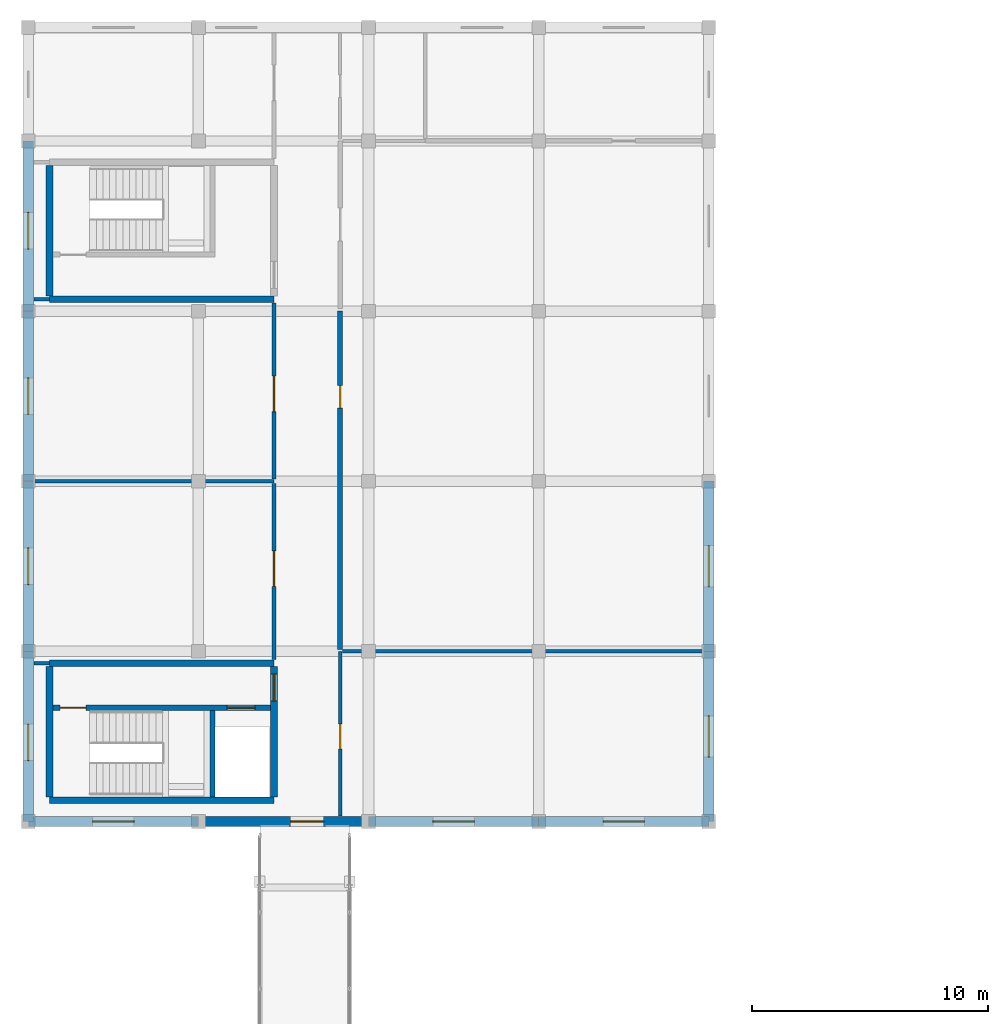
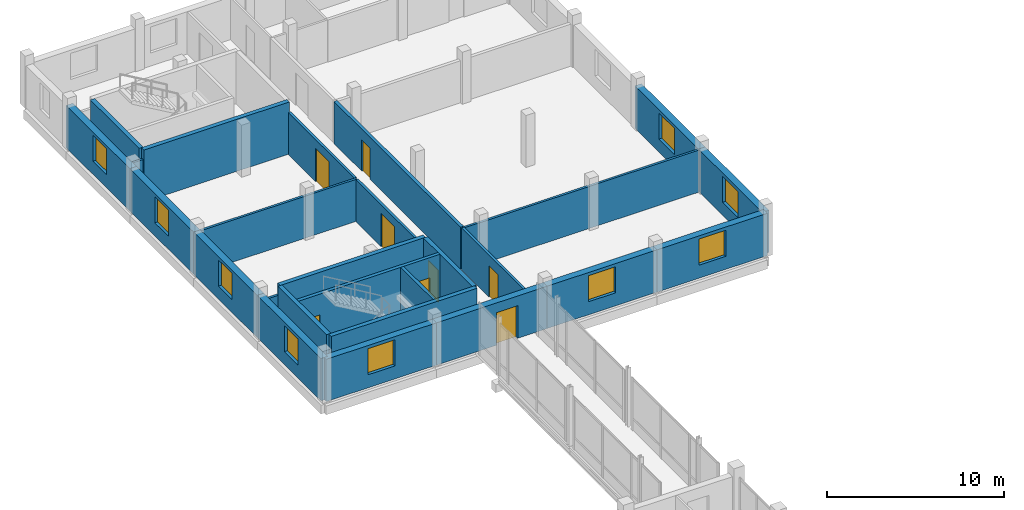
# One storey, part 113 of 128: 26 walls, 9 windows, 8 doors, 17 openings.
"""IFC4 building model written with IfcOpenShell, lengths in metres."""

from ifc_helpers import new_model, si_unit, direction, frame, frame_2d, origin, place, context, subcontext, project, spatial, rectangle, extrude, material, layer, layer_set, type_object, element, fill, save


model = new_model("IFC4")

# Units and contexts
model_context = context("Model", 3, precision=1e-05, world=origin(), true_north=direction((0.0, 1.0)))
body_context = subcontext(model_context, "Body", "Model", "MODEL_VIEW")
ifc_project = project(units=[si_unit("LENGTHUNIT", "METRE"), si_unit("AREAUNIT", "SQUARE_METRE"), si_unit("VOLUMEUNIT", "CUBIC_METRE"), si_unit("PLANEANGLEUNIT", "RADIAN"), si_unit("MASSUNIT", "GRAM", prefix="KILO")], contexts=[model_context])

# Site, building, storey
site_placement = place(None, origin())
site = spatial("IfcSite", under=ifc_project, at=site_placement, CompositionType="ELEMENT")
building_placement = place(site_placement, origin())
building = spatial("IfcBuilding", under=site, at=building_placement, Name="Zornivar Specialist Clinic", CompositionType="ELEMENT")
storey_placement = place(building_placement, frame((0.0, 0.0, 4.5)))
storey = spatial("IfcBuildingStorey", under=building, at=storey_placement, Name="L01", CompositionType="ELEMENT", Elevation=4.5)

# Wall, opening, window
ifc_material_1 = material(Name="Masonry Rusticated Vratsa Limestone Procedure Base Wall", Category="masonry")
ifc_layer_1 = layer(ifc_material_1, 0.43994140625)
ifc_layer_set_1 = layer_set([ifc_layer_1], Name="Masonry Rusticated Vratsa Limestone Procedure Base Wall")
wall_type_1 = type_object("IfcWallType", Name="EW-PLINTH-WEST-440", PredefinedType="SOLIDWALL", material=ifc_layer_set_1)
wall_1_placement = place(storey_placement, frame((0.0, 79.199951171875, 0.0), z_axis=(0.0, 0.0, 1.0), x_axis=(1.0, 0.0, 0.0)))
wall_1 = element("IfcWall", 1, at=wall_1_placement, inside=storey, type_object=wall_type_1, Name="ew:V5:L01:00", PredefinedType="SOLIDWALL", context=body_context, shape_type="SweptSolid", body=[
    extrude(rectangle(XDim=7.199951171875, YDim=0.43994140625, at=frame_2d((3.60009765625, 0.0))), origin(), (0.0, 0.0, 1.0), 2.919921875),
])
opening_1_placement = place(wall_1_placement, frame((2.72509765625, 0.0, 0.89990234375)))
opening_1 = element("IfcOpeningElement", 2, at=opening_1_placement, cuts=wall_1, Name="Opening W-17", PredefinedType="OPENING", context=body_context, shape_type="SweptSolid", body=[
    extrude(rectangle(XDim=1.75, YDim=1.800048828125, at=frame_2d((0.875, 0.89990234375))), frame((0.0, 0.22998046875, 0.0), z_axis=(0.0, -1.0, 0.0), x_axis=(1.0, 0.0, 0.0)), (0.0, 0.0, 1.0), 0.4599609375),
])
ifc_material_2 = material(Name="Triple-Glazed Aluminium-Timber Window Glass", Category="wood")
window_type_1 = type_object("IfcWindowType", Name="WIN-PROC-COURT-1750x1800", PartitioningType="SINGLE_PANEL", PredefinedType="WINDOW", material=ifc_material_2)
window_1_placement = place(opening_1_placement, origin())
window_1 = element("IfcWindow", 3, at=window_1_placement, inside=storey, type_object=window_type_1, Name="win:V5:L01:00", OverallHeight=1.800048828125, OverallWidth=1.75, PartitioningType="SINGLE_PANEL", PredefinedType="WINDOW", context=body_context, shape_type="SweptSolid", body=[
    extrude(rectangle(XDim=1.75, YDim=1.800048828125, at=frame_2d((0.875, 0.89990234375))), frame((0.0, 0.030029296875, 0.0), z_axis=(0.0, -1.0, 0.0), x_axis=(1.0, 0.0, 0.0)), (0.0, 0.0, 1.0), 0.06005859375),
])
fill(opening_1, window_1)

# Wall, opening, door
wall_2_placement = place(storey_placement, frame((7.199951171875, 79.199951171875, 0.0), z_axis=(0.0, 0.0, 1.0), x_axis=(1.0, 0.0, 0.0)))
wall_2 = element("IfcWall", 4, at=wall_2_placement, inside=storey, type_object=wall_type_1, Name="ew:V5:L01:01", PredefinedType="SOLIDWALL", context=body_context, shape_type="SweptSolid", body=[
    extrude(rectangle(XDim=7.199951171875, YDim=0.43994140625, at=frame_2d((3.60009765625, 0.0))), origin(), (0.0, 0.0, 1.0), 2.919921875),
])
opening_2_placement = place(wall_2_placement, frame((3.89990234375, 0.0, 0.0)))
opening_2 = element("IfcOpeningElement", 5, at=opening_2_placement, cuts=wall_2, Name="Opening TD-01", PredefinedType="OPENING", context=body_context, shape_type="SweptSolid", body=[
    extrude(rectangle(XDim=1.39990234375, YDim=2.25, at=frame_2d((0.699951171875, 1.125))), frame((0.0, 0.22998046875, 0.0), z_axis=(0.0, -1.0, 0.0), x_axis=(1.0, 0.0, 0.0)), (0.0, 0.0, 1.0), 0.4599609375),
])
ifc_material_3 = material(Name="Thermally Broken Glazed Aluminium Door", Category="aluminium")
door_type_1 = type_object("IfcDoorType", Name="TD-TERR-1400x2250", OperationType="NOTDEFINED", PredefinedType="DOOR", material=ifc_material_3)
door_1_placement = place(opening_2_placement, origin())
door_1 = element("IfcDoor", 6, at=door_1_placement, inside=storey, type_object=door_type_1, Name="door:V5:L01:br2", OperationType="SINGLE_SWING_LEFT", OverallHeight=2.25, OverallWidth=1.39990234375, PredefinedType="DOOR", context=body_context, shape_type="SweptSolid", body=[
    extrude(rectangle(XDim=1.39990234375, YDim=2.25, at=frame_2d((0.699951171875, 1.125))), frame((0.0, 0.02490234375, 0.0), z_axis=(0.0, -1.0, 0.0), x_axis=(1.0, 0.0, 0.0)), (0.0, 0.0, 1.0), 0.050048828125),
])
fill(opening_2, door_1)

# Wall, opening, window
wall_3_placement = place(storey_placement, frame((14.39990234375, 79.199951171875, 0.0), z_axis=(0.0, 0.0, 1.0), x_axis=(1.0, 0.0, 0.0)))
wall_3 = element("IfcWall", 7, at=wall_3_placement, inside=storey, type_object=wall_type_1, Name="ew:V5:L01:02", PredefinedType="SOLIDWALL", context=body_context, shape_type="SweptSolid", body=[
    extrude(rectangle(XDim=7.2001953125, YDim=0.43994140625, at=frame_2d((3.60009765625, 0.0))), origin(), (0.0, 0.0, 1.0), 2.919921875),
])
opening_3_placement = place(wall_3_placement, frame((2.72509765625, 0.0, 0.89990234375)))
opening_3 = element("IfcOpeningElement", 8, at=opening_3_placement, cuts=wall_3, Name="Opening W-17", PredefinedType="OPENING", context=body_context, shape_type="SweptSolid", body=[
    extrude(rectangle(XDim=1.75, YDim=1.800048828125, at=frame_2d((0.875, 0.89990234375))), frame((0.0, 0.22998046875, 0.0), z_axis=(0.0, -1.0, 0.0), x_axis=(1.0, 0.0, 0.0)), (0.0, 0.0, 1.0), 0.4599609375),
])
window_2_placement = place(opening_3_placement, origin())
window_2 = element("IfcWindow", 9, at=window_2_placement, inside=storey, type_object=window_type_1, Name="win:V5:L01:02", OverallHeight=1.800048828125, OverallWidth=1.75, PartitioningType="SINGLE_PANEL", PredefinedType="WINDOW", context=body_context, shape_type="SweptSolid", body=[
    extrude(rectangle(XDim=1.75, YDim=1.800048828125, at=frame_2d((0.875, 0.89990234375))), frame((0.0, 0.030029296875, 0.0), z_axis=(0.0, -1.0, 0.0), x_axis=(1.0, 0.0, 0.0)), (0.0, 0.0, 1.0), 0.06005859375),
])
fill(opening_3, window_2)

wall_4_placement = place(storey_placement, frame((21.60009765625, 79.199951171875, 0.0), z_axis=(0.0, 0.0, 1.0), x_axis=(1.0, 0.0, 0.0)))
wall_4 = element("IfcWall", 10, at=wall_4_placement, inside=storey, type_object=wall_type_1, Name="ew:V5:L01:03", PredefinedType="SOLIDWALL", context=body_context, shape_type="SweptSolid", body=[
    extrude(rectangle(XDim=7.199951171875, YDim=0.43994140625, at=frame_2d((3.60009765625, 0.0))), origin(), (0.0, 0.0, 1.0), 2.919921875),
])
opening_4_placement = place(wall_4_placement, frame((2.72509765625, 0.0, 0.89990234375)))
opening_4 = element("IfcOpeningElement", 11, at=opening_4_placement, cuts=wall_4, Name="Opening W-17", PredefinedType="OPENING", context=body_context, shape_type="SweptSolid", body=[
    extrude(rectangle(XDim=1.75, YDim=1.800048828125, at=frame_2d((0.875, 0.89990234375))), frame((0.0, 0.22998046875, 0.0), z_axis=(0.0, -1.0, 0.0), x_axis=(1.0, 0.0, 0.0)), (0.0, 0.0, 1.0), 0.4599609375),
])
window_3_placement = place(opening_4_placement, origin())
window_3 = element("IfcWindow", 12, at=window_3_placement, inside=storey, type_object=window_type_1, Name="win:V5:L01:03", OverallHeight=1.800048828125, OverallWidth=1.75, PartitioningType="SINGLE_PANEL", PredefinedType="WINDOW", context=body_context, shape_type="SweptSolid", body=[
    extrude(rectangle(XDim=1.75, YDim=1.800048828125, at=frame_2d((0.875, 0.89990234375))), frame((0.0, 0.030029296875, 0.0), z_axis=(0.0, -1.0, 0.0), x_axis=(1.0, 0.0, 0.0)), (0.0, 0.0, 1.0), 0.06005859375),
])
fill(opening_4, window_3)

wall_5_placement = place(storey_placement, frame((28.800048828125, 79.199951171875, 0.0), z_axis=(0.0, 0.0, 1.0), x_axis=(0.0, 1.0, 0.0)))
wall_5 = element("IfcWall", 13, at=wall_5_placement, inside=storey, type_object=wall_type_1, Name="ew:V5:L01:04", PredefinedType="SOLIDWALL", context=body_context, shape_type="SweptSolid", body=[
    extrude(rectangle(XDim=7.199951171875, YDim=0.43994140625, at=frame_2d((3.60009765625, 0.0))), origin(), (0.0, 0.0, 1.0), 2.919921875),
])
opening_5_placement = place(wall_5_placement, frame((2.72509765625, 0.0, 0.89990234375)))
opening_5 = element("IfcOpeningElement", 14, at=opening_5_placement, cuts=wall_5, Name="Opening W-17", PredefinedType="OPENING", context=body_context, shape_type="SweptSolid", body=[
    extrude(rectangle(XDim=1.75, YDim=1.800048828125, at=frame_2d((0.875, 0.89990234375))), frame((0.0, 0.22998046875, 0.0), z_axis=(0.0, -1.0, 0.0), x_axis=(1.0, 0.0, 0.0)), (0.0, 0.0, 1.0), 0.4599609375),
])
window_4_placement = place(opening_5_placement, origin())
window_4 = element("IfcWindow", 15, at=window_4_placement, inside=storey, type_object=window_type_1, Name="win:V5:L01:04", OverallHeight=1.800048828125, OverallWidth=1.75, PartitioningType="SINGLE_PANEL", PredefinedType="WINDOW", context=body_context, shape_type="SweptSolid", body=[
    extrude(rectangle(XDim=1.75, YDim=1.800048828125, at=frame_2d((0.875, 0.89990234375))), frame((0.0, 0.030029296875, 0.0), z_axis=(0.0, -1.0, 0.0), x_axis=(1.0, 0.0, 0.0)), (0.0, 0.0, 1.0), 0.06005859375),
])
fill(opening_5, window_4)

wall_6_placement = place(storey_placement, frame((28.800048828125, 86.39990234375, 0.0), z_axis=(0.0, 0.0, 1.0), x_axis=(0.0, 1.0, 0.0)))
wall_6 = element("IfcWall", 16, at=wall_6_placement, inside=storey, type_object=wall_type_1, Name="ew:V5:L01:05", PredefinedType="SOLIDWALL", context=body_context, shape_type="SweptSolid", body=[
    extrude(rectangle(XDim=7.2001953125, YDim=0.43994140625, at=frame_2d((3.60009765625, 0.0))), origin(), (0.0, 0.0, 1.0), 2.919921875),
])
opening_6_placement = place(wall_6_placement, frame((2.72509765625, 0.0, 0.89990234375)))
opening_6 = element("IfcOpeningElement", 17, at=opening_6_placement, cuts=wall_6, Name="Opening W-17", PredefinedType="OPENING", context=body_context, shape_type="SweptSolid", body=[
    extrude(rectangle(XDim=1.75, YDim=1.800048828125, at=frame_2d((0.875, 0.89990234375))), frame((0.0, 0.22998046875, 0.0), z_axis=(0.0, -1.0, 0.0), x_axis=(1.0, 0.0, 0.0)), (0.0, 0.0, 1.0), 0.4599609375),
])
window_5_placement = place(opening_6_placement, origin())
window_5 = element("IfcWindow", 18, at=window_5_placement, inside=storey, type_object=window_type_1, Name="win:V5:L01:05", OverallHeight=1.800048828125, OverallWidth=1.75, PartitioningType="SINGLE_PANEL", PredefinedType="WINDOW", context=body_context, shape_type="SweptSolid", body=[
    extrude(rectangle(XDim=1.75, YDim=1.800048828125, at=frame_2d((0.875, 0.89990234375))), frame((0.0, 0.030029296875, 0.0), z_axis=(0.0, -1.0, 0.0), x_axis=(1.0, 0.0, 0.0)), (0.0, 0.0, 1.0), 0.06005859375),
])
fill(opening_6, window_5)

wall_7_placement = place(storey_placement, frame((0.0, 108.0, 0.0), z_axis=(0.0, 0.0, 1.0), x_axis=(0.0, -1.0, 0.0)))
wall_7 = element("IfcWall", 19, at=wall_7_placement, inside=storey, type_object=wall_type_1, Name="ew:V5:L01:14", PredefinedType="SOLIDWALL", context=body_context, shape_type="SweptSolid", body=[
    extrude(rectangle(XDim=7.199951171875, YDim=0.43994140625, at=frame_2d((3.60009765625, 0.0))), origin(), (0.0, 0.0, 1.0), 2.919921875),
])
opening_7_placement = place(wall_7_placement, frame((3.02490234375, 0.0, 0.89990234375)))
opening_7 = element("IfcOpeningElement", 20, at=opening_7_placement, cuts=wall_7, Name="Opening W-16", PredefinedType="OPENING", context=body_context, shape_type="SweptSolid", body=[
    extrude(rectangle(XDim=1.550048828125, YDim=1.800048828125, at=frame_2d((0.77490234375, 0.89990234375))), frame((0.0, 0.22998046875, 0.0), z_axis=(0.0, -1.0, 0.0), x_axis=(1.0, 0.0, 0.0)), (0.0, 0.0, 1.0), 0.4599609375),
])
ifc_material_4 = material(Name="Triple-Glazed Aluminium-Timber Window Glass", Category="wood")
window_type_2 = type_object("IfcWindowType", Name="WIN-PROC-WEST-1550x1800", PartitioningType="SINGLE_PANEL", PredefinedType="WINDOW", material=ifc_material_4)
window_6_placement = place(opening_7_placement, origin())
window_6 = element("IfcWindow", 21, at=window_6_placement, inside=storey, type_object=window_type_2, Name="win:V5:L01:14", OverallHeight=1.800048828125, OverallWidth=1.550048828125, PartitioningType="SINGLE_PANEL", PredefinedType="WINDOW", context=body_context, shape_type="SweptSolid", body=[
    extrude(rectangle(XDim=1.550048828125, YDim=1.800048828125, at=frame_2d((0.77490234375, 0.89990234375))), frame((0.0, 0.030029296875, 0.0), z_axis=(0.0, -1.0, 0.0), x_axis=(1.0, 0.0, 0.0)), (0.0, 0.0, 1.0), 0.06005859375),
])
fill(opening_7, window_6)

wall_8_placement = place(storey_placement, frame((0.0, 100.800048828125, 0.0), z_axis=(0.0, 0.0, 1.0), x_axis=(0.0, -1.0, 0.0)))
wall_8 = element("IfcWall", 22, at=wall_8_placement, inside=storey, type_object=wall_type_1, Name="ew:V5:L01:15", PredefinedType="SOLIDWALL", context=body_context, shape_type="SweptSolid", body=[
    extrude(rectangle(XDim=7.199951171875, YDim=0.43994140625, at=frame_2d((3.60009765625, 0.0))), origin(), (0.0, 0.0, 1.0), 2.919921875),
])
opening_8_placement = place(wall_8_placement, frame((2.824951171875, 0.0, 0.89990234375)))
opening_8 = element("IfcOpeningElement", 23, at=opening_8_placement, cuts=wall_8, Name="Opening W-16", PredefinedType="OPENING", context=body_context, shape_type="SweptSolid", body=[
    extrude(rectangle(XDim=1.550048828125, YDim=1.800048828125, at=frame_2d((0.77490234375, 0.89990234375))), frame((0.0, 0.22998046875, 0.0), z_axis=(0.0, -1.0, 0.0), x_axis=(1.0, 0.0, 0.0)), (0.0, 0.0, 1.0), 0.4599609375),
])
window_7_placement = place(opening_8_placement, origin())
window_7 = element("IfcWindow", 24, at=window_7_placement, inside=storey, type_object=window_type_2, Name="win:V5:L01:15", OverallHeight=1.800048828125, OverallWidth=1.550048828125, PartitioningType="SINGLE_PANEL", PredefinedType="WINDOW", context=body_context, shape_type="SweptSolid", body=[
    extrude(rectangle(XDim=1.550048828125, YDim=1.800048828125, at=frame_2d((0.77490234375, 0.89990234375))), frame((0.0, 0.030029296875, 0.0), z_axis=(0.0, -1.0, 0.0), x_axis=(1.0, 0.0, 0.0)), (0.0, 0.0, 1.0), 0.06005859375),
])
fill(opening_8, window_7)

wall_9_placement = place(storey_placement, frame((0.0, 93.60009765625, 0.0), z_axis=(0.0, 0.0, 1.0), x_axis=(0.0, -1.0, 0.0)))
wall_9 = element("IfcWall", 25, at=wall_9_placement, inside=storey, type_object=wall_type_1, Name="ew:V5:L01:16", PredefinedType="SOLIDWALL", context=body_context, shape_type="SweptSolid", body=[
    extrude(rectangle(XDim=7.2001953125, YDim=0.43994140625, at=frame_2d((3.60009765625, 0.0))), origin(), (0.0, 0.0, 1.0), 2.919921875),
])
opening_9_placement = place(wall_9_placement, frame((2.824951171875, 0.0, 0.89990234375)))
opening_9 = element("IfcOpeningElement", 26, at=opening_9_placement, cuts=wall_9, Name="Opening W-16", PredefinedType="OPENING", context=body_context, shape_type="SweptSolid", body=[
    extrude(rectangle(XDim=1.550048828125, YDim=1.800048828125, at=frame_2d((0.77490234375, 0.89990234375))), frame((0.0, 0.22998046875, 0.0), z_axis=(0.0, -1.0, 0.0), x_axis=(1.0, 0.0, 0.0)), (0.0, 0.0, 1.0), 0.4599609375),
])
window_8_placement = place(opening_9_placement, origin())
window_8 = element("IfcWindow", 27, at=window_8_placement, inside=storey, type_object=window_type_2, Name="win:V5:L01:16", OverallHeight=1.800048828125, OverallWidth=1.550048828125, PartitioningType="SINGLE_PANEL", PredefinedType="WINDOW", context=body_context, shape_type="SweptSolid", body=[
    extrude(rectangle(XDim=1.550048828125, YDim=1.800048828125, at=frame_2d((0.77490234375, 0.89990234375))), frame((0.0, 0.030029296875, 0.0), z_axis=(0.0, -1.0, 0.0), x_axis=(1.0, 0.0, 0.0)), (0.0, 0.0, 1.0), 0.06005859375),
])
fill(opening_9, window_8)

wall_10_placement = place(storey_placement, frame((0.0, 86.39990234375, 0.0), z_axis=(0.0, 0.0, 1.0), x_axis=(0.0, -1.0, 0.0)))
wall_10 = element("IfcWall", 28, at=wall_10_placement, inside=storey, type_object=wall_type_1, Name="ew:V5:L01:17", PredefinedType="SOLIDWALL", context=body_context, shape_type="SweptSolid", body=[
    extrude(rectangle(XDim=7.199951171875, YDim=0.43994140625, at=frame_2d((3.60009765625, 0.0))), origin(), (0.0, 0.0, 1.0), 2.919921875),
])
opening_10_placement = place(wall_10_placement, frame((3.074951171875, 0.0, 0.89990234375)))
opening_10 = element("IfcOpeningElement", 29, at=opening_10_placement, cuts=wall_10, Name="Opening W-16", PredefinedType="OPENING", context=body_context, shape_type="SweptSolid", body=[
    extrude(rectangle(XDim=1.550048828125, YDim=1.800048828125, at=frame_2d((0.77490234375, 0.89990234375))), frame((0.0, 0.22998046875, 0.0), z_axis=(0.0, -1.0, 0.0), x_axis=(1.0, 0.0, 0.0)), (0.0, 0.0, 1.0), 0.4599609375),
])
window_9_placement = place(opening_10_placement, origin())
window_9 = element("IfcWindow", 30, at=window_9_placement, inside=storey, type_object=window_type_2, Name="win:V5:L01:17", OverallHeight=1.800048828125, OverallWidth=1.550048828125, PartitioningType="SINGLE_PANEL", PredefinedType="WINDOW", context=body_context, shape_type="SweptSolid", body=[
    extrude(rectangle(XDim=1.550048828125, YDim=1.800048828125, at=frame_2d((0.77490234375, 0.89990234375))), frame((0.0, 0.030029296875, 0.0), z_axis=(0.0, -1.0, 0.0), x_axis=(1.0, 0.0, 0.0)), (0.0, 0.0, 1.0), 0.06005859375),
])
fill(opening_10, window_9)

# Wall, opening, door
ifc_material_5 = material(Name="Gypsum Fire-Rated Double Stud Partition")
ifc_layer_2 = layer(ifc_material_5, 0.159912109375)
ifc_layer_set_2 = layer_set([ifc_layer_2], Name="Gypsum Fire-Rated Double Stud Partition")
wall_type_2 = type_object("IfcWallType", Name="IW-CORR-EI60-160", PredefinedType="PARTITIONING", material=ifc_layer_set_2)
wall_11_placement = place(storey_placement, frame((10.39990234375, 93.510986328125, 0.0), z_axis=(0.0, 0.0, 1.0), x_axis=(0.0, -1.0, 0.0)))
wall_11 = element("IfcWall", 31, at=wall_11_placement, inside=storey, type_object=wall_type_2, Name="iw:L01:141", PredefinedType="PARTITIONING", context=body_context, shape_type="SweptSolid", body=[
    extrude(rectangle(XDim=7.4560546875, YDim=0.159912109375, at=frame_2d((3.72802734375, 0.0))), origin(), (0.0, 0.0, 1.0), 2.89990234375),
])
opening_11_placement = place(wall_11_placement, frame((2.85888671875, 0.0, 0.0)))
opening_11 = element("IfcOpeningElement", 32, at=opening_11_placement, cuts=wall_11, Name="Opening ID-01", PredefinedType="OPENING", context=body_context, shape_type="SweptSolid", body=[
    extrude(rectangle(XDim=1.5, YDim=2.300048828125, at=frame_2d((0.75, 1.14990234375))), frame((0.0, 0.08984375, 0.0), z_axis=(0.0, -1.0, 0.0), x_axis=(1.0, 0.0, 0.0)), (0.0, 0.0, 1.0), 0.179931640625),
])
ifc_material_6 = material(Name="Solid-Core Hygienic Laminate Timber Door", Category="wood")
door_type_2 = type_object("IfcDoorType", Name="ID-OR-SUITE-1500x2300", OperationType="NOTDEFINED", PredefinedType="DOOR", material=ifc_material_6)
door_2_placement = place(opening_11_placement, origin())
door_2 = element("IfcDoor", 33, at=door_2_placement, inside=storey, type_object=door_type_2, Name="door:space:V5:L01:rm:00", OperationType="DOUBLE_DOOR_SINGLE_SWING", OverallHeight=2.300048828125, OverallWidth=1.5, PredefinedType="DOOR", context=body_context, shape_type="SweptSolid", body=[
    extrude(rectangle(XDim=1.5, YDim=2.300048828125, at=frame_2d((0.75, 1.14990234375))), frame((0.0, 0.02490234375, 0.0), z_axis=(0.0, -1.0, 0.0), x_axis=(1.0, 0.0, 0.0)), (0.0, 0.0, 1.0), 0.050048828125),
])
fill(opening_11, door_2)

wall_12_placement = place(storey_placement, frame((10.39990234375, 101.14501953125, 0.0), z_axis=(0.0, 0.0, 1.0), x_axis=(0.0, -1.0, 0.0)))
wall_12 = element("IfcWall", 34, at=wall_12_placement, inside=storey, type_object=wall_type_2, Name="iw:L01:144", PredefinedType="PARTITIONING", context=body_context, shape_type="SweptSolid", body=[
    extrude(rectangle(XDim=7.4560546875, YDim=0.159912109375, at=frame_2d((3.72802734375, 0.0))), origin(), (0.0, 0.0, 1.0), 2.89990234375),
])
opening_12_placement = place(wall_12_placement, frame((3.096923828125, 0.0, 0.0)))
opening_12 = element("IfcOpeningElement", 35, at=opening_12_placement, cuts=wall_12, Name="Opening ID-01", PredefinedType="OPENING", context=body_context, shape_type="SweptSolid", body=[
    extrude(rectangle(XDim=1.5, YDim=2.300048828125, at=frame_2d((0.75, 1.14990234375))), frame((0.0, 0.08984375, 0.0), z_axis=(0.0, -1.0, 0.0), x_axis=(1.0, 0.0, 0.0)), (0.0, 0.0, 1.0), 0.179931640625),
])
door_3_placement = place(opening_12_placement, origin())
door_3 = element("IfcDoor", 36, at=door_3_placement, inside=storey, type_object=door_type_2, Name="door:space:V5:L01:rm:01", OperationType="DOUBLE_DOOR_SINGLE_SWING", OverallHeight=2.300048828125, OverallWidth=1.5, PredefinedType="DOOR", context=body_context, shape_type="SweptSolid", body=[
    extrude(rectangle(XDim=1.5, YDim=2.300048828125, at=frame_2d((0.75, 1.14990234375))), frame((0.0, 0.02490234375, 0.0), z_axis=(0.0, -1.0, 0.0), x_axis=(1.0, 0.0, 0.0)), (0.0, 0.0, 1.0), 0.050048828125),
])
fill(opening_12, door_3)

wall_13_placement = place(storey_placement, frame((13.199951171875, 79.43505859375, 0.0), z_axis=(0.0, 0.0, 1.0), x_axis=(0.0, 1.0, 0.0)))
wall_13 = element("IfcWall", 37, at=wall_13_placement, inside=storey, type_object=wall_type_2, Name="iw:L01:147", PredefinedType="PARTITIONING", context=body_context, shape_type="SweptSolid", body=[
    extrude(rectangle(XDim=6.96484375, YDim=0.159912109375, at=frame_2d((3.482421875, 0.0))), origin(), (0.0, 0.0, 1.0), 2.89990234375),
])
opening_13_placement = place(wall_13_placement, frame((2.840087890625, 0.0, 0.0)))
opening_13 = element("IfcOpeningElement", 38, at=opening_13_placement, cuts=wall_13, Name="Opening ID-03", PredefinedType="OPENING", context=body_context, shape_type="SweptSolid", body=[
    extrude(rectangle(XDim=1.050048828125, YDim=2.14990234375, at=frame_2d((0.52490234375, 1.074951171875))), frame((0.0, 0.08984375, 0.0), z_axis=(0.0, -1.0, 0.0), x_axis=(1.0, 0.0, 0.0)), (0.0, 0.0, 1.0), 0.179931640625),
])
ifc_material_7 = material(Name="Solid-Core Hygienic Laminate Timber Door", Category="wood")
door_type_3 = type_object("IfcDoorType", Name="ID-CONS-1050x2150", OperationType="NOTDEFINED", PredefinedType="DOOR", material=ifc_material_7)
door_4_placement = place(opening_13_placement, origin())
door_4 = element("IfcDoor", 39, at=door_4_placement, inside=storey, type_object=door_type_3, Name="door:space:V5:L01:rm:03", OperationType="SINGLE_SWING_RIGHT", OverallHeight=2.14990234375, OverallWidth=1.050048828125, PredefinedType="DOOR", context=body_context, shape_type="SweptSolid", body=[
    extrude(rectangle(XDim=1.050048828125, YDim=2.14990234375, at=frame_2d((0.52490234375, 1.074951171875))), frame((0.0, 0.02490234375, 0.0), z_axis=(0.0, -1.0, 0.0), x_axis=(1.0, 0.0, 0.0)), (0.0, 0.0, 1.0), 0.050048828125),
])
fill(opening_13, door_4)

ifc_material_8 = material(Name="Waterproofed Hydrotherapy and Changing Partition")
ifc_layer_3 = layer(ifc_material_8, 0.2099609375)
ifc_layer_set_3 = layer_set([ifc_layer_3], Name="Waterproofed Hydrotherapy and Changing Partition")
wall_type_3 = type_object("IfcWallType", Name="IW-HYDRO-WET-210", PredefinedType="PARTITIONING", material=ifc_layer_set_3)
wall_14_placement = place(storey_placement, frame((13.199951171875, 86.489013671875, 0.0), z_axis=(0.0, 0.0, 1.0), x_axis=(0.0, 1.0, 0.0)))
wall_14 = element("IfcWall", 40, at=wall_14_placement, inside=storey, type_object=wall_type_3, Name="iw:L01:149", PredefinedType="PARTITIONING", context=body_context, shape_type="SweptSolid", body=[
    extrude(rectangle(XDim=14.31103515625, YDim=0.2099609375, at=frame_2d((7.155517578125, 0.0))), origin(), (0.0, 0.0, 1.0), 2.89990234375),
])
opening_14_placement = place(wall_14_placement, frame((10.2060546875, 0.0, 0.0)))
opening_14 = element("IfcOpeningElement", 41, at=opening_14_placement, cuts=wall_14, Name="Opening ID-16", PredefinedType="OPENING", context=body_context, shape_type="SweptSolid", body=[
    extrude(rectangle(XDim=0.949951171875, YDim=2.14990234375, at=frame_2d((0.47509765625, 1.074951171875))), frame((0.0, 0.114990234375, 0.0), z_axis=(0.0, -1.0, 0.0), x_axis=(1.0, 0.0, 0.0)), (0.0, 0.0, 1.0), 0.22998046875),
])
ifc_material_9 = material(Name="Solid-Core Hygienic Laminate Timber Door", Category="wood")
door_type_4 = type_object("IfcDoorType", Name="ID-CHANG-0950x2150", OperationType="NOTDEFINED", PredefinedType="DOOR", material=ifc_material_9)
door_5_placement = place(opening_14_placement, origin())
door_5 = element("IfcDoor", 42, at=door_5_placement, inside=storey, type_object=door_type_4, Name="door:space:V5:L01:rm:04", OperationType="SINGLE_SWING_LEFT", OverallHeight=2.14990234375, OverallWidth=0.949951171875, PredefinedType="DOOR", context=body_context, shape_type="SweptSolid", body=[
    extrude(rectangle(XDim=0.949951171875, YDim=2.14990234375, at=frame_2d((0.47509765625, 1.074951171875))), frame((0.0, 0.02490234375, 0.0), z_axis=(0.0, -1.0, 0.0), x_axis=(1.0, 0.0, 0.0)), (0.0, 0.0, 1.0), 0.050048828125),
])
fill(opening_14, door_5)

# Walls
ifc_material_10 = material(Name="Hygienic Lead-Free Procedure Partition")
ifc_layer_4 = layer(ifc_material_10, 0.14990234375)
ifc_layer_set_4 = layer_set([ifc_layer_4], Name="Hygienic Lead-Free Procedure Partition")
wall_type_4 = type_object("IfcWallType", Name="IW-PROC-150", PredefinedType="PARTITIONING", material=ifc_layer_set_4)
wall_15_placement = place(storey_placement, frame((0.235107421875, 93.60009765625, 0.0), z_axis=(0.0, 0.0, 1.0), x_axis=(1.0, 0.0, 0.0)))
element("IfcWall", 43, at=wall_15_placement, inside=storey, type_object=wall_type_4, Name="iw:L01:140", PredefinedType="PARTITIONING", context=body_context, shape_type="SweptSolid", body=[
    extrude(rectangle(XDim=10.164794921875, YDim=0.14990234375, at=frame_2d((5.08251953125, 0.0))), origin(), (0.0, 0.0, 1.0), 2.89990234375),
])
for number, where, z_axis, x_axis, name in (
    (44, (0.89990234375, 85.89990234375, 0.0), (0.0, 0.0, 1.0), (-1.0, 0.0, 0.0), "iw:L01:142"),
    (45, (0.235107421875, 101.300048828125, 0.0), (0.0, 0.0, 1.0), (1.0, 0.0, 0.0), "iw:L01:143"),
):
    element("IfcWall", number, at=place(storey_placement, frame(where, z_axis=z_axis, x_axis=x_axis)), inside=storey, type_object=wall_type_4, Name=name, PredefinedType="PARTITIONING", context=body_context, shape_type="SweptSolid", body=[
        extrude(rectangle(XDim=0.664794921875, YDim=0.14990234375, at=frame_2d((0.33251953125, 0.0))), origin(), (0.0, 0.0, 1.0), 2.89990234375),
    ])
wall_16_placement = place(storey_placement, frame((13.2939453125, 86.39990234375, 0.0), z_axis=(0.0, 0.0, 1.0), x_axis=(1.0, 0.0, 0.0)))
element("IfcWall", 46, at=wall_16_placement, inside=storey, type_object=wall_type_4, Name="iw:L01:148", PredefinedType="PARTITIONING", context=body_context, shape_type="SweptSolid", body=[
    extrude(rectangle(XDim=15.27099609375, YDim=0.14990234375, at=frame_2d((7.635498046875, 0.0))), origin(), (0.0, 0.0, 1.0), 2.89990234375),
])
ifc_material_11 = material(Name="Concrete C35/45", Category="concrete")
ifc_layer_5 = layer(ifc_material_11, 0.280029296875)
ifc_layer_set_5 = layer_set([ifc_layer_5], Name="Concrete C35/45")
wall_type_5 = type_object("IfcWallType", Name="SW-CORE-280", PredefinedType="SHEAR", material=ifc_layer_set_5)
wall_17_placement = place(storey_placement, frame((0.89990234375, 80.10009765625, 0.0), z_axis=(0.0, 0.0, 1.0), x_axis=(1.0, 0.0, 0.0)))
element("IfcWall", 47, at=wall_17_placement, inside=storey, type_object=wall_type_5, Name="sw:C7:L01:w0", PredefinedType="SHEAR", context=body_context, shape_type="SweptSolid", body=[
    extrude(rectangle(XDim=9.5, YDim=0.280029296875, at=frame_2d((4.75, 0.0))), origin(), (0.0, 0.0, 1.0), 3.590087890625),
])

# Wall, opening, door
wall_18_placement = place(storey_placement, frame((10.39990234375, 80.239990234375, 0.0), z_axis=(0.0, 0.0, 1.0), x_axis=(0.0, 1.0, 0.0)))
wall_18 = element("IfcWall", 48, at=wall_18_placement, inside=storey, type_object=wall_type_5, Name="sw:C7:L01:w1", PredefinedType="SHEAR", context=body_context, shape_type="SweptSolid", body=[
    extrude(rectangle(XDim=5.52001953125, YDim=0.280029296875, at=frame_2d((2.760009765625, 0.0))), origin(), (0.0, 0.0, 1.0), 3.590087890625),
])
opening_15_placement = place(wall_18_placement, frame((4.050048828125, 0.0, 0.0)))
opening_15 = element("IfcOpeningElement", 49, at=opening_15_placement, cuts=wall_18, Name="Opening FD-03", PredefinedType="OPENING", context=body_context, shape_type="SweptSolid", body=[
    extrude(rectangle(XDim=1.14990234375, YDim=2.199951171875, at=frame_2d((0.574951171875, 1.10009765625))), frame((0.0, 0.14990234375, 0.0), z_axis=(0.0, -1.0, 0.0), x_axis=(1.0, 0.0, 0.0)), (0.0, 0.0, 1.0), 0.300048828125),
])
ifc_material_12 = material(Name="Solid-Core Hygienic Laminate Timber Door", Category="wood")
door_type_5 = type_object("IfcDoorType", Name="FD-LOBBY-UPPER-1150x2200", OperationType="NOTDEFINED", PredefinedType="DOOR", material=ifc_material_12)
door_6_placement = place(opening_15_placement, origin())
door_6 = element("IfcDoor", 50, at=door_6_placement, inside=storey, type_object=door_type_5, Name="door:C7:L01:lob", OperationType="SINGLE_SWING_RIGHT", OverallHeight=2.199951171875, OverallWidth=1.14990234375, PredefinedType="DOOR", context=body_context, shape_type="SweptSolid", body=[
    extrude(rectangle(XDim=1.14990234375, YDim=2.199951171875, at=frame_2d((0.574951171875, 1.10009765625))), frame((0.0, 0.02490234375, 0.0), z_axis=(0.0, -1.0, 0.0), x_axis=(1.0, 0.0, 0.0)), (0.0, 0.0, 1.0), 0.050048828125),
])
fill(opening_15, door_6)

# Walls
wall_19_placement = place(storey_placement, frame((10.39990234375, 85.89990234375, 0.0), z_axis=(0.0, 0.0, 1.0), x_axis=(-1.0, 0.0, 0.0)))
element("IfcWall", 51, at=wall_19_placement, inside=storey, type_object=wall_type_5, Name="sw:C7:L01:w2", PredefinedType="SHEAR", context=body_context, shape_type="SweptSolid", body=[
    extrude(rectangle(XDim=9.5, YDim=0.280029296875, at=frame_2d((4.75, 0.0))), origin(), (0.0, 0.0, 1.0), 3.590087890625),
])
wall_20_placement = place(storey_placement, frame((0.89990234375, 85.760009765625, 0.0), z_axis=(0.0, 0.0, 1.0), x_axis=(0.0, -1.0, 0.0)))
element("IfcWall", 52, at=wall_20_placement, inside=storey, type_object=wall_type_5, Name="sw:C7:L01:w3", PredefinedType="SHEAR", context=body_context, shape_type="SweptSolid", body=[
    extrude(rectangle(XDim=5.52001953125, YDim=0.280029296875, at=frame_2d((2.760009765625, 0.0))), origin(), (0.0, 0.0, 1.0), 3.590087890625),
])
wall_21_placement = place(storey_placement, frame((0.89990234375, 101.300048828125, 0.0), z_axis=(0.0, 0.0, 1.0), x_axis=(1.0, 0.0, 0.0)))
element("IfcWall", 53, at=wall_21_placement, inside=storey, type_object=wall_type_5, Name="sw:C8:L01:w0", PredefinedType="SHEAR", context=body_context, shape_type="SweptSolid", body=[
    extrude(rectangle(XDim=9.5, YDim=0.280029296875, at=frame_2d((4.75, 0.0))), origin(), (0.0, 0.0, 1.0), 3.590087890625),
])
wall_22_placement = place(storey_placement, frame((0.89990234375, 106.9599609375, 0.0), z_axis=(0.0, 0.0, 1.0), x_axis=(0.0, -1.0, 0.0)))
element("IfcWall", 54, at=wall_22_placement, inside=storey, type_object=wall_type_5, Name="sw:C8:L01:w3", PredefinedType="SHEAR", context=body_context, shape_type="SweptSolid", body=[
    extrude(rectangle(XDim=5.52001953125, YDim=0.280029296875, at=frame_2d((2.760009765625, 0.0))), origin(), (0.0, 0.0, 1.0), 3.590087890625),
])
ifc_material_13 = material(Name="Concrete C30/37", Category="concrete")
ifc_layer_6 = layer(ifc_material_13, 0.199951171875)
ifc_layer_set_6 = layer_set([ifc_layer_6], Name="Concrete C30/37")
wall_type_6 = type_object("IfcWallType", Name="SW-LIFT-200", PredefinedType="SHEAR", material=ifc_layer_set_6)
wall_23_placement = place(storey_placement, frame((7.800048828125, 80.239990234375, 0.0), z_axis=(0.0, 0.0, 1.0), x_axis=(0.0, 1.0, 0.0)))
element("IfcWall", 55, at=wall_23_placement, inside=storey, type_object=wall_type_6, Name="sw:C7:L01:sdiv", PredefinedType="SHEAR", context=body_context, shape_type="SweptSolid", body=[
    extrude(rectangle(XDim=3.659912109375, YDim=0.199951171875, at=frame_2d((1.830078125, 0.0))), origin(), (0.0, 0.0, 1.0), 3.590087890625),
])

# Wall, openings, doors
ifc_material_14 = material(Name="Concrete C30/37", Category="concrete")
ifc_layer_7 = layer(ifc_material_14, 0.219970703125)
ifc_layer_set_7 = layer_set([ifc_layer_7], Name="Concrete C30/37")
wall_type_7 = type_object("IfcWallType", Name="SW-SHAFT-220", PredefinedType="SHEAR", material=ifc_layer_set_7)
wall_24_placement = place(storey_placement, frame((1.0400390625, 84.010009765625, 0.0), z_axis=(0.0, 0.0, 1.0), x_axis=(1.0, 0.0, 0.0)))
wall_24 = element("IfcWall", 56, at=wall_24_placement, inside=storey, type_object=wall_type_7, Name="sw:C7:L01:stwall", PredefinedType="SHEAR", context=body_context, shape_type="SweptSolid", body=[
    extrude(rectangle(XDim=9.219970703125, YDim=0.219970703125, at=frame_2d((4.60986328125, 0.0))), origin(), (0.0, 0.0, 1.0), 3.590087890625),
])
opening_16_placement = place(wall_24_placement, frame((0.31005859375, 0.0, 0.0)))
opening_16 = element("IfcOpeningElement", 57, at=opening_16_placement, cuts=wall_24, Name="Opening FD-02", PredefinedType="OPENING", context=body_context, shape_type="SweptSolid", body=[
    extrude(rectangle(XDim=1.10009765625, YDim=2.14990234375, at=frame_2d((0.550048828125, 1.074951171875))), frame((0.0, 0.119873046875, 0.0), z_axis=(0.0, -1.0, 0.0), x_axis=(1.0, 0.0, 0.0)), (0.0, 0.0, 1.0), 0.239990234375),
])
opening_17_placement = place(wall_24_placement, frame((7.360107421875, 0.0, 0.0)))
opening_17 = element("IfcOpeningElement", 58, at=opening_17_placement, cuts=wall_24, Name="Opening LD-01", PredefinedType="OPENING", context=body_context, shape_type="SweptSolid", body=[
    extrude(rectangle(XDim=1.199951171875, YDim=2.199951171875, at=frame_2d((0.60009765625, 1.10009765625))), frame((0.0, 0.119873046875, 0.0), z_axis=(0.0, -1.0, 0.0), x_axis=(1.0, 0.0, 0.0)), (0.0, 0.0, 1.0), 0.239990234375),
])
ifc_material_15 = material(Name="Solid-Core Hygienic Laminate Timber Door", Category="wood")
door_type_6 = type_object("IfcDoorType", Name="FD-STAIR-1100x2150", OperationType="NOTDEFINED", PredefinedType="DOOR", material=ifc_material_15)
door_7_placement = place(opening_16_placement, origin())
door_7 = element("IfcDoor", 59, at=door_7_placement, inside=storey, type_object=door_type_6, Name="door:C7:L01:stair", OperationType="SINGLE_SWING_LEFT", OverallHeight=2.14990234375, OverallWidth=1.10009765625, PredefinedType="DOOR", context=body_context, shape_type="SweptSolid", body=[
    extrude(rectangle(XDim=1.10009765625, YDim=2.14990234375, at=frame_2d((0.550048828125, 1.074951171875))), frame((0.0, 0.02490234375, 0.0), z_axis=(0.0, -1.0, 0.0), x_axis=(1.0, 0.0, 0.0)), (0.0, 0.0, 1.0), 0.050048828125),
])
fill(opening_16, door_7)
ifc_material_16 = material(Name="Stainless Steel Lift Landing Sliding Door", Category="steel")
door_type_7 = type_object("IfcDoorType", Name="LD-LIFT-1200x2200", OperationType="NOTDEFINED", PredefinedType="DOOR", material=ifc_material_16)
door_8_placement = place(opening_17_placement, origin())
door_8 = element("IfcDoor", 60, at=door_8_placement, inside=storey, type_object=door_type_7, Name="door:C7:L01:lift", OperationType="DOUBLE_DOOR_SLIDING", OverallHeight=2.199951171875, OverallWidth=1.199951171875, PredefinedType="DOOR", context=body_context, shape_type="SweptSolid", body=[
    extrude(rectangle(XDim=1.199951171875, YDim=2.199951171875, at=frame_2d((0.60009765625, 1.10009765625))), frame((0.0, 0.02490234375, 0.0), z_axis=(0.0, -1.0, 0.0), x_axis=(1.0, 0.0, 0.0)), (0.0, 0.0, 1.0), 0.050048828125),
])
fill(opening_17, door_8)

save(model, "model.ifc")
